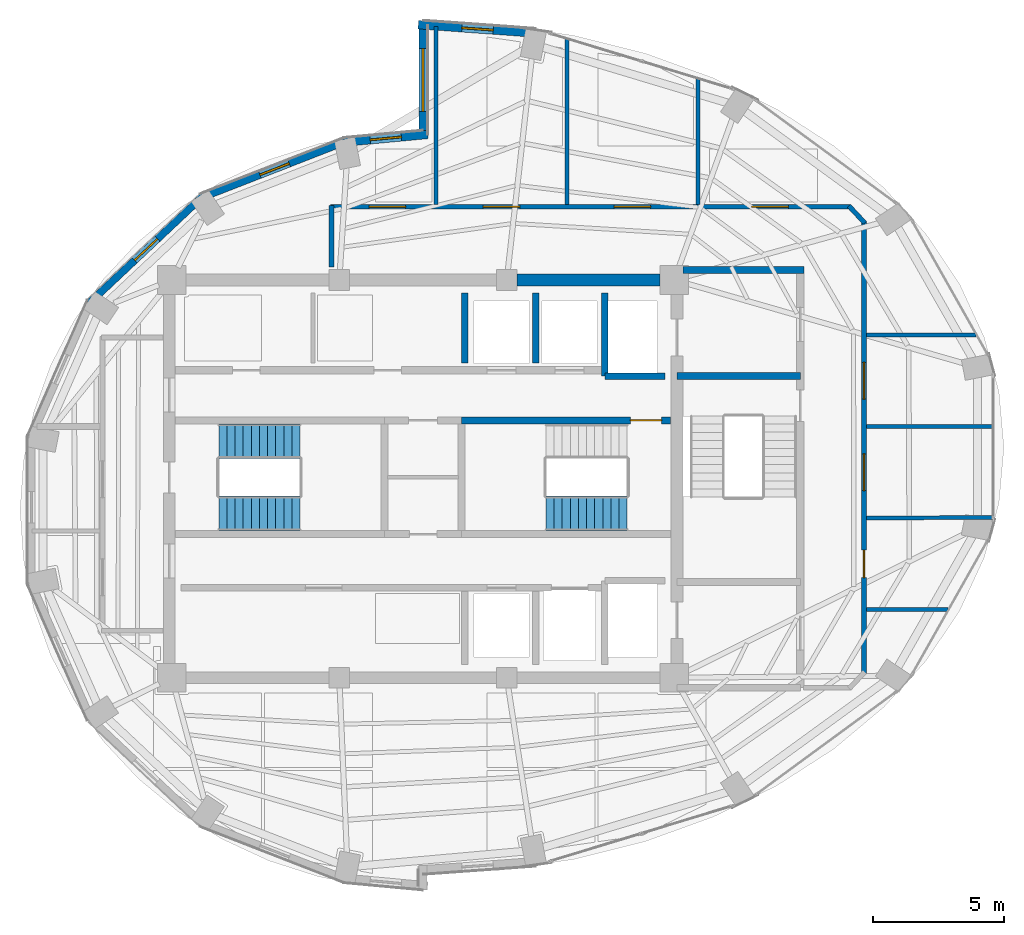
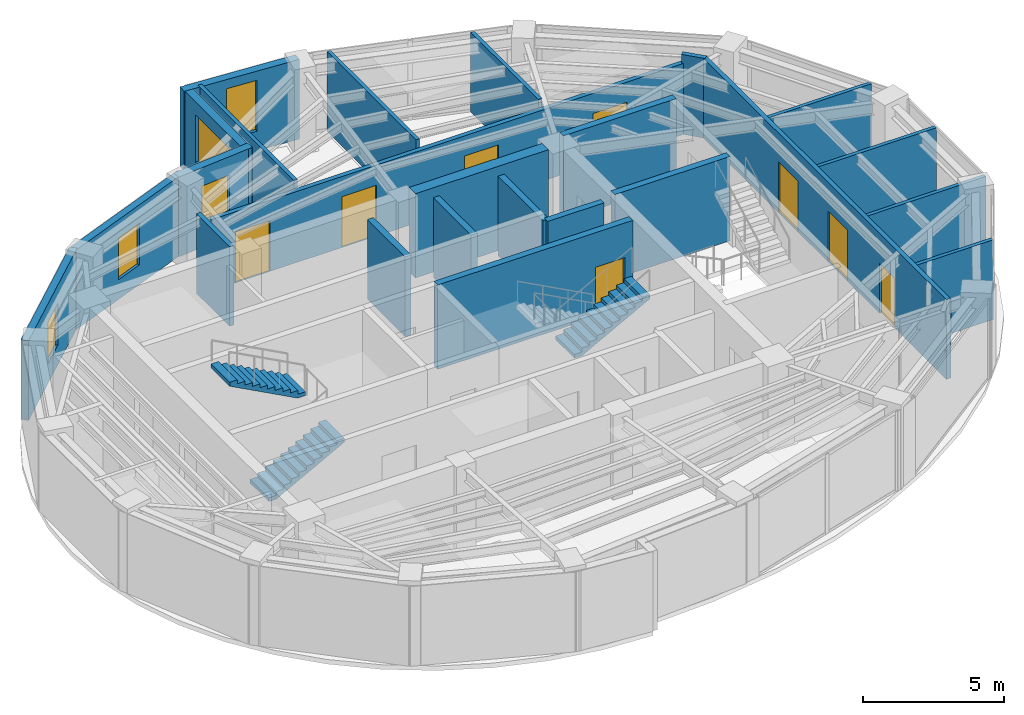
# One storey, part 10 of 13: 24 walls, 8 doors, 5 windows, 3 stair flights, 13 openings, 2 elements without a shape of their own.
"""IFC4 building model written with IfcOpenShell, lengths in metres."""

from ifc_helpers import new_model, si_unit, direction, frame, frame_2d, origin, place, context, subcontext, project, spatial, polyline, rectangle, outline, extrude, material, layer, layer_set, type_object, element, fill, aggregate, save


model = new_model("IFC4")

# Units and contexts
model_context = context("Model", 3, precision=1e-05, world=origin(), true_north=direction((0.0, 1.0)))
body_context = subcontext(model_context, "Body", "Model", "MODEL_VIEW")
ifc_project = project(units=[si_unit("LENGTHUNIT", "METRE"), si_unit("AREAUNIT", "SQUARE_METRE"), si_unit("VOLUMEUNIT", "CUBIC_METRE"), si_unit("PLANEANGLEUNIT", "RADIAN"), si_unit("MASSUNIT", "GRAM", prefix="KILO")], contexts=[model_context])

# Site, building, storey
site_placement = place(None, origin())
site = spatial("IfcSite", under=ifc_project, at=site_placement, CompositionType="ELEMENT")
building_placement = place(site_placement, origin())
building = spatial("IfcBuilding", under=site, at=building_placement, Name="Lazwardi Medical Tower", CompositionType="ELEMENT")
storey_placement = place(building_placement, frame((0.0, 0.0, 276.912109375)))
storey = spatial("IfcBuildingStorey", under=building, at=storey_placement, Name="L72", CompositionType="ELEMENT", Elevation=276.912109375)

# Wall
ifc_material_1 = material(Name="Fire-rated gypsum board on steel stud", Category="steel")
ifc_layer_1 = layer(ifc_material_1, 0.179931640625)
ifc_layer_set_1 = layer_set([ifc_layer_1], Name="Fire-rated gypsum board on steel stud")
wall_type_1 = type_object("IfcWallType", Name="WL-COR-180", PredefinedType="PARTITIONING", material=ifc_layer_set_1)
wall_1_placement = place(storey_placement, frame((32.5, 36.090087890625, 0.0), z_axis=(0.0, 0.0, 1.0), x_axis=(0.0, 1.0, 0.0)))
element("IfcWall", 1, at=wall_1_placement, inside=storey, type_object=wall_type_1, Name="L72 Corridor partition 1", PredefinedType="PARTITIONING", context=body_context, shape_type="SweptSolid", body=[
    extrude(rectangle(XDim=2.349853515625, YDim=0.179931640625, at=frame_2d((1.1748046875, 0.0))), origin(), (0.0, 0.0, 1.0), 3.447998046875),
])

# Wall, openings, doors
wall_2_placement = place(storey_placement, frame((32.4599609375, 38.39990234375, 0.0), z_axis=(0.0, 0.0, 1.0), x_axis=(1.0, 0.0, 0.0)))
wall_2 = element("IfcWall", 2, at=wall_2_placement, inside=storey, type_object=wall_type_1, Name="L72 Corridor partition 2", PredefinedType="PARTITIONING", context=body_context, shape_type="SweptSolid", body=[
    extrude(rectangle(XDim=19.879150390625, YDim=0.179931640625, at=frame_2d((9.939453125, 0.0))), origin(), (0.0, 0.0, 1.0), 3.072998046875),
])
opening_1_placement = place(wall_2_placement, frame((16.1005859375, 0.0, 0.0)))
opening_1 = element("IfcOpeningElement", 3, at=opening_1_placement, cuts=wall_2, Name="Opening D-L72-015", PredefinedType="OPENING", context=body_context, shape_type="SweptSolid", body=[
    extrude(rectangle(XDim=1.39990234375, YDim=2.199951171875, at=frame_2d((0.699951171875, 1.10009765625))), frame((0.0, 0.099853515625, 0.0), z_axis=(0.0, -1.0, 0.0), x_axis=(1.0, 0.0, 0.0)), (0.0, 0.0, 1.0), 0.199951171875),
])
opening_2_placement = place(wall_2_placement, frame((10.840087890625, 0.0, 0.0)))
opening_2 = element("IfcOpeningElement", 4, at=opening_2_placement, cuts=wall_2, Name="Opening D-L72-016", PredefinedType="OPENING", context=body_context, shape_type="SweptSolid", body=[
    extrude(rectangle(XDim=1.39990234375, YDim=2.199951171875, at=frame_2d((0.699951171875, 1.10009765625))), frame((0.0, 0.099853515625, 0.0), z_axis=(0.0, -1.0, 0.0), x_axis=(1.0, 0.0, 0.0)), (0.0, 0.0, 1.0), 0.199951171875),
])
opening_3_placement = place(wall_2_placement, frame((5.840087890625, 0.0, 0.0)))
opening_3 = element("IfcOpeningElement", 5, at=opening_3_placement, cuts=wall_2, Name="Opening D-L72-017", PredefinedType="OPENING", context=body_context, shape_type="SweptSolid", body=[
    extrude(rectangle(XDim=1.39990234375, YDim=2.199951171875, at=frame_2d((0.699951171875, 1.10009765625))), frame((0.0, 0.099853515625, 0.0), z_axis=(0.0, -1.0, 0.0), x_axis=(1.0, 0.0, 0.0)), (0.0, 0.0, 1.0), 0.199951171875),
])
opening_4_placement = place(wall_2_placement, frame((1.47900390625, 0.0, 0.0)))
opening_4 = element("IfcOpeningElement", 6, at=opening_4_placement, cuts=wall_2, Name="Opening D-L72-018", PredefinedType="OPENING", context=body_context, shape_type="SweptSolid", body=[
    extrude(rectangle(XDim=1.39990234375, YDim=2.199951171875, at=frame_2d((0.699951171875, 1.10009765625))), frame((0.0, 0.099853515625, 0.0), z_axis=(0.0, -1.0, 0.0), x_axis=(1.0, 0.0, 0.0)), (0.0, 0.0, 1.0), 0.199951171875),
])
ifc_material_2 = material(Name="Anti-microbial laminate hospital leaf")
door_type_1 = type_object("IfcDoorType", Name="DR-BED-1400", OperationType="NOTDEFINED", PredefinedType="DOOR", material=ifc_material_2)
door_1_placement = place(opening_1_placement, origin())
door_1 = element("IfcDoor", 7, at=door_1_placement, inside=storey, type_object=door_type_1, Name="L72 Patient Bedroom Door 06", OperationType="SINGLE_SWING_LEFT", OverallHeight=2.199951171875, OverallWidth=1.39990234375, PredefinedType="DOOR", context=body_context, shape_type="SweptSolid", body=[
    extrude(rectangle(XDim=1.39990234375, YDim=2.199951171875, at=frame_2d((0.699951171875, 1.10009765625))), frame((0.0, 0.02490234375, 0.0), z_axis=(0.0, -1.0, 0.0), x_axis=(1.0, 0.0, 0.0)), (0.0, 0.0, 1.0), 0.050048828125),
])
fill(opening_1, door_1)
door_2_placement = place(opening_2_placement, origin())
door_2 = element("IfcDoor", 8, at=door_2_placement, inside=storey, type_object=door_type_1, Name="L72 Patient Bedroom Door 07", OperationType="SINGLE_SWING_RIGHT", OverallHeight=2.199951171875, OverallWidth=1.39990234375, PredefinedType="DOOR", context=body_context, shape_type="SweptSolid", body=[
    extrude(rectangle(XDim=1.39990234375, YDim=2.199951171875, at=frame_2d((0.699951171875, 1.10009765625))), frame((0.0, 0.02490234375, 0.0), z_axis=(0.0, -1.0, 0.0), x_axis=(1.0, 0.0, 0.0)), (0.0, 0.0, 1.0), 0.050048828125),
])
fill(opening_2, door_2)
door_3_placement = place(opening_3_placement, origin())
door_3 = element("IfcDoor", 9, at=door_3_placement, inside=storey, type_object=door_type_1, Name="L72 Inpatient Ward Door 08", OperationType="SINGLE_SWING_LEFT", OverallHeight=2.199951171875, OverallWidth=1.39990234375, PredefinedType="DOOR", context=body_context, shape_type="SweptSolid", body=[
    extrude(rectangle(XDim=1.39990234375, YDim=2.199951171875, at=frame_2d((0.699951171875, 1.10009765625))), frame((0.0, 0.02490234375, 0.0), z_axis=(0.0, -1.0, 0.0), x_axis=(1.0, 0.0, 0.0)), (0.0, 0.0, 1.0), 0.050048828125),
])
fill(opening_3, door_3)
door_4_placement = place(opening_4_placement, origin())
door_4 = element("IfcDoor", 10, at=door_4_placement, inside=storey, type_object=door_type_1, Name="L72 Inpatient Ward Door 09", OperationType="SINGLE_SWING_RIGHT", OverallHeight=2.199951171875, OverallWidth=1.39990234375, PredefinedType="DOOR", context=body_context, shape_type="SweptSolid", body=[
    extrude(rectangle(XDim=1.39990234375, YDim=2.199951171875, at=frame_2d((0.699951171875, 1.10009765625))), frame((0.0, 0.02490234375, 0.0), z_axis=(0.0, -1.0, 0.0), x_axis=(1.0, 0.0, 0.0)), (0.0, 0.0, 1.0), 0.050048828125),
])
fill(opening_4, door_4)

# Wall
wall_3_placement = place(storey_placement, frame((52.271728515625, 38.42919921875, 0.0), z_axis=(0.0, 0.0, 1.0), x_axis=(0.682475113459, -0.730908831188, 0.0)))
element("IfcWall", 11, at=wall_3_placement, inside=storey, type_object=wall_type_1, Name="L72 Corridor partition 3", PredefinedType="PARTITIONING", context=body_context, shape_type="SweptSolid", body=[
    extrude(rectangle(XDim=0.88720703125, YDim=0.179931640625, at=frame_2d((0.443603515625, 0.0))), origin(), (0.0, 0.0, 1.0), 3.447998046875),
])

# Wall, openings, doors
wall_4_placement = place(storey_placement, frame((52.85009765625, 37.85009765625, 0.0), z_axis=(0.0, 0.0, 1.0), x_axis=(0.0, -1.0, 0.0)))
wall_4 = element("IfcWall", 12, at=wall_4_placement, inside=storey, type_object=wall_type_1, Name="L72 Corridor partition 4", PredefinedType="PARTITIONING", context=body_context, shape_type="SweptSolid", body=[
    extrude(rectangle(XDim=17.30029296875, YDim=0.179931640625, at=frame_2d((8.650146484375, 0.0))), origin(), (0.0, 0.0, 1.0), 3.447998046875),
])
opening_5_placement = place(wall_4_placement, frame((12.574951171875, 0.0, 0.0)))
opening_5 = element("IfcOpeningElement", 13, at=opening_5_placement, cuts=wall_4, Name="Opening D-L72-012", PredefinedType="OPENING", context=body_context, shape_type="SweptSolid", body=[
    extrude(rectangle(XDim=1.050048828125, YDim=2.14990234375, at=frame_2d((0.52490234375, 1.074951171875))), frame((0.0, 0.099853515625, 0.0), z_axis=(0.0, -1.0, 0.0), x_axis=(1.0, 0.0, 0.0)), (0.0, 0.0, 1.0), 0.199951171875),
])
opening_6_placement = place(wall_4_placement, frame((8.89990234375, 0.0, 0.0)))
opening_6 = element("IfcOpeningElement", 14, at=opening_6_placement, cuts=wall_4, Name="Opening D-L72-013", PredefinedType="OPENING", context=body_context, shape_type="SweptSolid", body=[
    extrude(rectangle(XDim=1.39990234375, YDim=2.199951171875, at=frame_2d((0.699951171875, 1.10009765625))), frame((0.0, 0.099853515625, 0.0), z_axis=(0.0, -1.0, 0.0), x_axis=(1.0, 0.0, 0.0)), (0.0, 0.0, 1.0), 0.199951171875),
])
opening_7_placement = place(wall_4_placement, frame((5.400146484375, 0.0, 0.0)))
opening_7 = element("IfcOpeningElement", 15, at=opening_7_placement, cuts=wall_4, Name="Opening D-L72-014", PredefinedType="OPENING", context=body_context, shape_type="SweptSolid", body=[
    extrude(rectangle(XDim=1.39990234375, YDim=2.199951171875, at=frame_2d((0.699951171875, 1.10009765625))), frame((0.0, 0.099853515625, 0.0), z_axis=(0.0, -1.0, 0.0), x_axis=(1.0, 0.0, 0.0)), (0.0, 0.0, 1.0), 0.199951171875),
])
door_5_placement = place(opening_6_placement, origin())
door_5 = element("IfcDoor", 16, at=door_5_placement, inside=storey, type_object=door_type_1, Name="L72 Department Reception Foyer Door 04", OperationType="SINGLE_SWING_LEFT", OverallHeight=2.199951171875, OverallWidth=1.39990234375, PredefinedType="DOOR", context=body_context, shape_type="SweptSolid", body=[
    extrude(rectangle(XDim=1.39990234375, YDim=2.199951171875, at=frame_2d((0.699951171875, 1.10009765625))), frame((0.0, 0.02490234375, 0.0), z_axis=(0.0, -1.0, 0.0), x_axis=(1.0, 0.0, 0.0)), (0.0, 0.0, 1.0), 0.050048828125),
])
fill(opening_6, door_5)
door_6_placement = place(opening_7_placement, origin())
door_6 = element("IfcDoor", 17, at=door_6_placement, inside=storey, type_object=door_type_1, Name="L72 Outpatient Clinic Door 05", OperationType="SINGLE_SWING_RIGHT", OverallHeight=2.199951171875, OverallWidth=1.39990234375, PredefinedType="DOOR", context=body_context, shape_type="SweptSolid", body=[
    extrude(rectangle(XDim=1.39990234375, YDim=2.199951171875, at=frame_2d((0.699951171875, 1.10009765625))), frame((0.0, 0.02490234375, 0.0), z_axis=(0.0, -1.0, 0.0), x_axis=(1.0, 0.0, 0.0)), (0.0, 0.0, 1.0), 0.050048828125),
])
fill(opening_7, door_6)
door_type_2 = type_object("IfcDoorType", Name="DR-CLN-1050", OperationType="NOTDEFINED", PredefinedType="DOOR", material=ifc_material_2)
door_7_placement = place(opening_5_placement, origin())
door_7 = element("IfcDoor", 18, at=door_7_placement, inside=storey, type_object=door_type_2, Name="L72 Outpatient Clinic Door 03", OperationType="SINGLE_SWING_RIGHT", OverallHeight=2.14990234375, OverallWidth=1.050048828125, PredefinedType="DOOR", context=body_context, shape_type="SweptSolid", body=[
    extrude(rectangle(XDim=1.050048828125, YDim=2.14990234375, at=frame_2d((0.52490234375, 1.074951171875))), frame((0.0, 0.02490234375, 0.0), z_axis=(0.0, -1.0, 0.0), x_axis=(1.0, 0.0, 0.0)), (0.0, 0.0, 1.0), 0.050048828125),
])
fill(opening_5, door_7)

# Wall
ifc_material_3 = material(Name="Concrete C60/75", Category="concrete")
ifc_layer_2 = layer(ifc_material_3, 0.449951171875)
ifc_layer_set_2 = layer_set([ifc_layer_2], Name="Concrete C60/75")
wall_type_2 = type_object("IfcWallType", Name="WL-CORE-450", PredefinedType="SHEAR", material=ifc_layer_set_2)
wall_5_placement = place(storey_placement, frame((39.60009765625, 35.60009765625, 0.0), z_axis=(0.0, 0.0, 1.0), x_axis=(1.0, 0.0, 0.0)))
element("IfcWall", 19, at=wall_5_placement, inside=storey, type_object=wall_type_2, Name="Core wall CW-S4 N3 L72", PredefinedType="SHEAR", context=body_context, shape_type="SweptSolid", body=[
    extrude(rectangle(XDim=5.449951171875, YDim=0.449951171875, at=frame_2d((2.72509765625, 0.0))), origin(), (0.0, 0.0, 1.0), 3.64794921875),
])

# Wall, opening, window
ifc_material_4 = material(Name="Precast concrete C45/55", Category="concrete")
ifc_layer_3 = layer(ifc_material_4, 0.280029296875)
ifc_layer_set_3 = layer_set([ifc_layer_3], Name="Precast concrete C45/55")
wall_type_3 = type_object("IfcWallType", Name="WL-DRUM-280", PredefinedType="SOLIDWALL", material=ifc_layer_set_3)
wall_6_placement = place(storey_placement, frame((33.227783203125, 40.964111328125, 0.0), z_axis=(0.0, 0.0, 1.0), x_axis=(-0.931716550814, -0.36318627306, 0.0)))
wall_6 = element("IfcWall", 20, at=wall_6_placement, inside=storey, type_object=wall_type_3, Name="L72 West Drum Precast Wall 1", PredefinedType="SOLIDWALL", context=body_context, shape_type="SweptSolid", body=[
    extrude(rectangle(XDim=6.22412109375, YDim=0.280029296875, at=frame_2d((3.112060546875, 0.0))), origin(), (0.0, 0.0, 1.0), 3.447998046875),
])
opening_8_placement = place(wall_6_placement, frame((2.511962890625, 0.0, 0.85009765625)))
opening_8 = element("IfcOpeningElement", 21, at=opening_8_placement, cuts=wall_6, Name="Opening WN-04", PredefinedType="OPENING", context=body_context, shape_type="SweptSolid", body=[
    extrude(rectangle(XDim=1.199951171875, YDim=1.800048828125, at=frame_2d((0.60009765625, 0.89990234375))), frame((0.0, 0.14990234375, 0.0), z_axis=(0.0, -1.0, 0.0), x_axis=(1.0, 0.0, 0.0)), (0.0, 0.0, 1.0), 0.300048828125),
])
ifc_material_5 = material(Name="Low-e bronze solar control double glazing", Category="glass")
window_type_1 = type_object("IfcWindowType", Name="WIN-DRUM-1200", PartitioningType="SINGLE_PANEL", PredefinedType="WINDOW", material=ifc_material_5)
window_1_placement = place(opening_8_placement, origin())
window_1 = element("IfcWindow", 22, at=window_1_placement, inside=storey, type_object=window_type_1, Name="L72 West Drum Window 1", OverallHeight=1.800048828125, OverallWidth=1.199951171875, PartitioningType="SINGLE_PANEL", PredefinedType="WINDOW", context=body_context, shape_type="SweptSolid", body=[
    extrude(rectangle(XDim=1.199951171875, YDim=1.800048828125, at=frame_2d((0.60009765625, 0.89990234375))), frame((0.0, 0.030029296875, 0.0), z_axis=(0.0, -1.0, 0.0), x_axis=(1.0, 0.0, 0.0)), (0.0, 0.0, 1.0), 0.06005859375),
])
fill(opening_8, window_1)

wall_7_placement = place(storey_placement, frame((27.5947265625, 38.808349609375, 0.0), z_axis=(0.0, 0.0, 1.0), x_axis=(-0.728251519923, -0.685309947199, 0.0)))
wall_7 = element("IfcWall", 23, at=wall_7_placement, inside=storey, type_object=wall_type_3, Name="L72 West Drum Precast Wall 2", PredefinedType="SOLIDWALL", context=body_context, shape_type="SweptSolid", body=[
    extrude(rectangle(XDim=5.98095703125, YDim=0.280029296875, at=frame_2d((2.990478515625, 0.0))), origin(), (0.0, 0.0, 1.0), 3.447998046875),
])
opening_9_placement = place(wall_7_placement, frame((2.390625, 0.0, 0.85009765625)))
opening_9 = element("IfcOpeningElement", 24, at=opening_9_placement, cuts=wall_7, Name="Opening WN-04", PredefinedType="OPENING", context=body_context, shape_type="SweptSolid", body=[
    extrude(rectangle(XDim=1.199951171875, YDim=1.800048828125, at=frame_2d((0.60009765625, 0.89990234375))), frame((0.0, 0.14990234375, 0.0), z_axis=(0.0, -1.0, 0.0), x_axis=(1.0, 0.0, 0.0)), (0.0, 0.0, 1.0), 0.300048828125),
])
window_2_placement = place(opening_9_placement, origin())
window_2 = element("IfcWindow", 25, at=window_2_placement, inside=storey, type_object=window_type_1, Name="L72 West Drum Window 2", OverallHeight=1.800048828125, OverallWidth=1.199951171875, PartitioningType="SINGLE_PANEL", PredefinedType="WINDOW", context=body_context, shape_type="SweptSolid", body=[
    extrude(rectangle(XDim=1.199951171875, YDim=1.800048828125, at=frame_2d((0.60009765625, 0.89990234375))), frame((0.0, 0.030029296875, 0.0), z_axis=(0.0, -1.0, 0.0), x_axis=(1.0, 0.0, 0.0)), (0.0, 0.0, 1.0), 0.06005859375),
])
fill(opening_9, window_2)

ifc_layer_4 = layer(ifc_material_4, 0.320068359375)
ifc_layer_set_4 = layer_set([ifc_layer_4], Name="Precast concrete C45/55")
wall_type_4 = type_object("IfcWallType", Name="WL-IWAN-320", PredefinedType="SOLIDWALL", material=ifc_layer_set_4)
wall_8_placement = place(storey_placement, frame((40.349609375, 45.0263671875, 0.0), z_axis=(0.0, 0.0, 1.0), x_axis=(-0.997412917451, 0.071885131294, 0.0)))
wall_8 = element("IfcWall", 26, at=wall_8_placement, inside=storey, type_object=wall_type_4, Name="L72 Iwan Portal Return Wall NE_ret", PredefinedType="SOLIDWALL", context=body_context, shape_type="SweptSolid", body=[
    extrude(rectangle(XDim=4.540771484375, YDim=0.320068359375, at=frame_2d((2.2705078125, 0.0))), origin(), (0.0, 0.0, 1.0), 3.447998046875),
])
opening_10_placement = place(wall_8_placement, frame((1.67041015625, 0.0, 0.85009765625)))
opening_10 = element("IfcOpeningElement", 27, at=opening_10_placement, cuts=wall_8, Name="Opening WN-01", PredefinedType="OPENING", context=body_context, shape_type="SweptSolid", body=[
    extrude(rectangle(XDim=1.199951171875, YDim=2.199951171875, at=frame_2d((0.60009765625, 1.10009765625))), frame((0.0, 0.169921875, 0.0), z_axis=(0.0, -1.0, 0.0), x_axis=(1.0, 0.0, 0.0)), (0.0, 0.0, 1.0), 0.340087890625),
])
window_type_2 = type_object("IfcWindowType", Name="WIN-IW-1200", PartitioningType="SINGLE_PANEL", PredefinedType="WINDOW", material=ifc_material_5)
window_3_placement = place(opening_10_placement, origin())
window_3 = element("IfcWindow", 28, at=window_3_placement, inside=storey, type_object=window_type_2, Name="L72 Iwan Slot Window NE_ret", OverallHeight=2.199951171875, OverallWidth=1.199951171875, PartitioningType="SINGLE_PANEL", PredefinedType="WINDOW", context=body_context, shape_type="SweptSolid", body=[
    extrude(rectangle(XDim=1.199951171875, YDim=2.199951171875, at=frame_2d((0.60009765625, 1.10009765625))), frame((0.0, 0.030029296875, 0.0), z_axis=(0.0, -1.0, 0.0), x_axis=(1.0, 0.0, 0.0)), (0.0, 0.0, 1.0), 0.06005859375),
])
fill(opening_10, window_3)

wall_9_placement = place(storey_placement, frame((36.178955078125, 41.156494140625, 0.0), z_axis=(0.0, 0.0, 1.0), x_axis=(-0.995736155144, -0.092247001792, 0.0)))
wall_9 = element("IfcWall", 29, at=wall_9_placement, inside=storey, type_object=wall_type_4, Name="L72 Iwan Portal Return Wall NW_ret", PredefinedType="SOLIDWALL", context=body_context, shape_type="SweptSolid", body=[
    extrude(rectangle(XDim=3.215576171875, YDim=0.320068359375, at=frame_2d((1.60791015625, 0.0))), origin(), (0.0, 0.0, 1.0), 3.447998046875),
])
opening_11_placement = place(wall_9_placement, frame((1.0078125, 0.0, 0.85009765625)))
opening_11 = element("IfcOpeningElement", 30, at=opening_11_placement, cuts=wall_9, Name="Opening WN-04", PredefinedType="OPENING", context=body_context, shape_type="SweptSolid", body=[
    extrude(rectangle(XDim=1.199951171875, YDim=1.800048828125, at=frame_2d((0.60009765625, 0.89990234375))), frame((0.0, 0.169921875, 0.0), z_axis=(0.0, -1.0, 0.0), x_axis=(1.0, 0.0, 0.0)), (0.0, 0.0, 1.0), 0.340087890625),
])
window_4_placement = place(opening_11_placement, origin())
window_4 = element("IfcWindow", 31, at=window_4_placement, inside=storey, type_object=window_type_1, Name="L72 Iwan Slot Window NW_ret", OverallHeight=1.800048828125, OverallWidth=1.199951171875, PartitioningType="SINGLE_PANEL", PredefinedType="WINDOW", context=body_context, shape_type="SweptSolid", body=[
    extrude(rectangle(XDim=1.199951171875, YDim=1.800048828125, at=frame_2d((0.60009765625, 0.89990234375))), frame((0.0, 0.030029296875, 0.0), z_axis=(0.0, -1.0, 0.0), x_axis=(1.0, 0.0, 0.0)), (0.0, 0.0, 1.0), 0.06005859375),
])
fill(opening_11, window_4)

wall_10_placement = place(storey_placement, frame((36.0, 45.5, 0.0), z_axis=(0.0, 0.0, 1.0), x_axis=(0.0, -1.0, 0.0)))
wall_10 = element("IfcWall", 32, at=wall_10_placement, inside=storey, type_object=wall_type_4, Name="L72 Turquoise Tilework Iwan Seam Wall N_seam", PredefinedType="SOLIDWALL", context=body_context, shape_type="SweptSolid", body=[
    extrude(rectangle(XDim=4.52001953125, YDim=0.320068359375, at=frame_2d((2.260009765625, 0.0))), origin(), (0.0, 0.0, 1.0), 3.447998046875),
])
opening_12_placement = place(wall_10_placement, frame((1.06005859375, 0.0, 0.840087890625)))
opening_12 = element("IfcOpeningElement", 33, at=opening_12_placement, cuts=wall_10, Name="Opening WN-02", PredefinedType="OPENING", context=body_context, shape_type="SweptSolid", body=[
    extrude(rectangle(XDim=2.39990234375, YDim=2.0400390625, at=frame_2d((1.199951171875, 1.02001953125))), frame((0.0, 0.169921875, 0.0), z_axis=(0.0, -1.0, 0.0), x_axis=(1.0, 0.0, 0.0)), (0.0, 0.0, 1.0), 0.340087890625),
])
window_type_3 = type_object("IfcWindowType", Name="WIN-IW-2400", PartitioningType="SINGLE_PANEL", PredefinedType="WINDOW", material=ifc_material_5)
window_5_placement = place(opening_12_placement, origin())
window_5 = element("IfcWindow", 34, at=window_5_placement, inside=storey, type_object=window_type_3, Name="L72 Iwan Seam Window N_seam", OverallHeight=2.0400390625, OverallWidth=2.39990234375, PartitioningType="SINGLE_PANEL", PredefinedType="WINDOW", context=body_context, shape_type="SweptSolid", body=[
    extrude(rectangle(XDim=2.39990234375, YDim=2.0400390625, at=frame_2d((1.199951171875, 1.02001953125))), frame((0.0, 0.030029296875, 0.0), z_axis=(0.0, -1.0, 0.0), x_axis=(1.0, 0.0, 0.0)), (0.0, 0.0, 1.0), 0.06005859375),
])
fill(opening_12, window_5)

# Walls
ifc_material_6 = material(Name="Autoclaved aerated concrete blockwork", Category="masonry")
ifc_layer_5 = layer(ifc_material_6, 0.25)
ifc_layer_set_5 = layer_set([ifc_layer_5], Name="Autoclaved aerated concrete blockwork")
wall_type_5 = type_object("IfcWallType", Name="WL-SHAFT-250", PredefinedType="SOLIDWALL", material=ifc_layer_set_5)
wall_11_placement = place(storey_placement, frame((42.949951171875, 31.919921875, 0.0), z_axis=(0.0, 0.0, 1.0), x_axis=(0.0, 1.0, 0.0)))
element("IfcWall", 35, at=wall_11_placement, inside=storey, type_object=wall_type_5, Name="L72 FL-01 West shaft wall", PredefinedType="SOLIDWALL", context=body_context, shape_type="SweptSolid", body=[
    extrude(rectangle(XDim=3.18017578125, YDim=0.25, at=frame_2d((1.590087890625, 0.0))), origin(), (0.0, 0.0, 1.0), 3.447998046875),
])
wall_12_placement = place(storey_placement, frame((42.949951171875, 31.919921875, 0.0), z_axis=(0.0, 0.0, 1.0), x_axis=(1.0, 0.0, 0.0)))
element("IfcWall", 36, at=wall_12_placement, inside=storey, type_object=wall_type_5, Name="L72 FL-01 South shaft wall", PredefinedType="SOLIDWALL", context=body_context, shape_type="SweptSolid", body=[
    extrude(rectangle(XDim=2.300048828125, YDim=0.25, at=frame_2d((1.14990234375, 0.0))), origin(), (0.0, 0.0, 1.0), 3.447998046875),
])
for number, where, z_axis, x_axis, name in (
    (37, (37.60009765625, 32.419921875, 0.0), (0.0, 0.0, 1.0), (0.0, 1.0, 0.0), "L72 North hoistway divider"),
    (38, (40.300048828125, 32.419921875, 0.0), (0.0, 0.0, 1.0), (0.0, 1.0, 0.0), "L72 North hoistway divider"),
):
    element("IfcWall", number, at=place(storey_placement, frame(where, z_axis=z_axis, x_axis=x_axis)), inside=storey, type_object=wall_type_5, Name=name, PredefinedType="SOLIDWALL", context=body_context, shape_type="SweptSolid", body=[
        extrude(rectangle(XDim=2.68017578125, YDim=0.25, at=frame_2d((1.340087890625, 0.0))), origin(), (0.0, 0.0, 1.0), 3.447998046875),
    ])

# Wall, opening, door
ifc_material_7 = material(Name="Concrete C50/60", Category="concrete")
ifc_layer_6 = layer(ifc_material_7, 0.27001953125)
ifc_layer_set_6 = layer_set([ifc_layer_6], Name="Concrete C50/60")
wall_type_6 = type_object("IfcWallType", Name="WL-STR-250", PredefinedType="SHEAR", material=ifc_layer_set_6)
wall_13_placement = place(storey_placement, frame((37.465087890625, 30.235107421875, 0.0), z_axis=(0.0, 0.0, 1.0), x_axis=(1.0, 0.0, 0.0)))
wall_13 = element("IfcWall", 39, at=wall_13_placement, inside=storey, type_object=wall_type_6, Name="L72 ST2 North shear shaft wall SW-S1", PredefinedType="SHEAR", context=body_context, shape_type="SweptSolid", body=[
    extrude(rectangle(XDim=7.98486328125, YDim=0.27001953125, at=frame_2d((3.992431640625, 0.0))), origin(), (0.0, 0.0, 1.0), 3.64794921875),
])
opening_13_placement = place(wall_13_placement, frame((6.455078125, 0.0, 0.0)))
opening_13 = element("IfcOpeningElement", 40, at=opening_13_placement, cuts=wall_13, Name="Opening D-L72-020", PredefinedType="OPENING", context=body_context, shape_type="SweptSolid", body=[
    extrude(rectangle(XDim=1.199951171875, YDim=2.14990234375, at=frame_2d((0.60009765625, 1.074951171875))), frame((0.0, 0.14501953125, 0.0), z_axis=(0.0, -1.0, 0.0), x_axis=(1.0, 0.0, 0.0)), (0.0, 0.0, 1.0), 0.2900390625),
])
ifc_material_8 = material(Name="Fire-rated steel leaf and frame", Category="steel")
door_type_3 = type_object("IfcDoorType", Name="DR-STR-1200", OperationType="NOTDEFINED", PredefinedType="DOOR", material=ifc_material_8)
door_8_placement = place(opening_13_placement, origin())
door_8 = element("IfcDoor", 41, at=door_8_placement, inside=storey, type_object=door_type_3, Name="L72 Exit Stair ST2 Door", OperationType="SINGLE_SWING_LEFT", OverallHeight=2.14990234375, OverallWidth=1.199951171875, PredefinedType="DOOR", context=body_context, shape_type="SweptSolid", body=[
    extrude(rectangle(XDim=1.199951171875, YDim=2.14990234375, at=frame_2d((0.60009765625, 1.074951171875))), frame((0.0, 0.02490234375, 0.0), z_axis=(0.0, -1.0, 0.0), x_axis=(1.0, 0.0, 0.0)), (0.0, 0.0, 1.0), 0.050048828125),
])
fill(opening_13, door_8)

# Walls
wall_14_placement = place(storey_placement, frame((45.925048828125, 35.97998046875, 0.0), z_axis=(0.0, 0.0, 1.0), x_axis=(1.0, 0.0, 0.0)))
element("IfcWall", 42, at=wall_14_placement, inside=storey, type_object=wall_type_6, Name="L72 FFL-N North shear wall SW-S1", PredefinedType="SHEAR", context=body_context, shape_type="SweptSolid", body=[
    extrude(rectangle(XDim=4.625, YDim=0.27001953125, at=frame_2d((2.3125, 0.0))), origin(), (0.0, 0.0, 1.0), 3.64794921875),
])
wall_15_placement = place(storey_placement, frame((45.699951171875, 31.93505859375, 0.0), z_axis=(0.0, 0.0, 1.0), x_axis=(1.0, 0.0, 0.0)))
element("IfcWall", 43, at=wall_15_placement, inside=storey, type_object=wall_type_6, Name="L72 ST3 North shear shaft wall SW-S1", PredefinedType="SHEAR", context=body_context, shape_type="SweptSolid", body=[
    extrude(rectangle(XDim=4.715087890625, YDim=0.27001953125, at=frame_2d((2.357421875, 0.0))), origin(), (0.0, 0.0, 1.0), 3.64794921875),
])
ifc_material_9 = material(Name="Acoustic gypsum board partition")
ifc_layer_7 = layer(ifc_material_9, 0.14990234375)
ifc_layer_set_7 = layer_set([ifc_layer_7], Name="Acoustic gypsum board partition")
wall_type_7 = type_object("IfcWallType", Name="WL-WRD-150", PredefinedType="PARTITIONING", material=ifc_layer_set_7)
wall_16_placement = place(storey_placement, frame((52.93994140625, 23.0, 0.0), z_axis=(0.0, 0.0, 1.0), x_axis=(1.0, 0.0, 0.0)))
element("IfcWall", 44, at=wall_16_placement, inside=storey, type_object=wall_type_7, Name="L72 Room partition 3", PredefinedType="PARTITIONING", context=body_context, shape_type="SweptSolid", body=[
    extrude(rectangle(XDim=3.125732421875, YDim=0.14990234375, at=frame_2d((1.56298828125, 0.0))), origin(), (0.0, 0.0, 1.0), 3.447998046875),
])
wall_17_placement = place(storey_placement, frame((52.93994140625, 26.50048828125, 0.0), z_axis=(0.0, 0.0, 1.0), x_axis=(0.999987566883, 0.004986589892, 0.0)))
element("IfcWall", 45, at=wall_17_placement, inside=storey, type_object=wall_type_7, Name="L72 Room partition 4", PredefinedType="PARTITIONING", context=body_context, shape_type="SweptSolid", body=[
    extrude(rectangle(XDim=4.846923828125, YDim=0.14990234375, at=frame_2d((2.42333984375, 0.0))), origin(), (0.0, 0.0, 1.0), 3.447998046875),
])
wall_18_placement = place(storey_placement, frame((52.93994140625, 30.0, 0.0), z_axis=(0.0, 0.0, 1.0), x_axis=(1.0, 0.0, 0.0)))
element("IfcWall", 46, at=wall_18_placement, inside=storey, type_object=wall_type_7, Name="L72 Room partition 5", PredefinedType="PARTITIONING", context=body_context, shape_type="SweptSolid", body=[
    extrude(rectangle(XDim=4.831787109375, YDim=0.14990234375, at=frame_2d((2.416015625, 0.0))), origin(), (0.0, 0.0, 1.0), 3.447998046875),
])
wall_19_placement = place(storey_placement, frame((52.93994140625, 33.5, 0.0), z_axis=(0.0, 0.0, 1.0), x_axis=(1.0, 0.0, 0.0)))
element("IfcWall", 47, at=wall_19_placement, inside=storey, type_object=wall_type_7, Name="L72 Room partition 6", PredefinedType="PARTITIONING", context=body_context, shape_type="SweptSolid", body=[
    extrude(rectangle(XDim=4.19921875, YDim=0.14990234375, at=frame_2d((2.099609375, 0.0))), origin(), (0.0, 0.0, 1.0), 3.447998046875),
])
wall_20_placement = place(storey_placement, frame((36.5, 38.489990234375, 0.0), z_axis=(0.0, 0.0, 1.0), x_axis=(0.0, 1.0, 0.0)))
element("IfcWall", 48, at=wall_20_placement, inside=storey, type_object=wall_type_7, Name="L72 Room partition 7", PredefinedType="PARTITIONING", context=body_context, shape_type="SweptSolid", body=[
    extrude(rectangle(XDim=6.78466796875, YDim=0.14990234375, at=frame_2d((3.392333984375, 0.0))), origin(), (0.0, 0.0, 1.0), 3.447998046875),
])
wall_21_placement = place(storey_placement, frame((41.5, 38.489990234375, 0.0), z_axis=(0.0, 0.0, 1.0), x_axis=(0.0, 1.0, 0.0)))
element("IfcWall", 49, at=wall_21_placement, inside=storey, type_object=wall_type_7, Name="L72 Room partition 8", PredefinedType="PARTITIONING", context=body_context, shape_type="SweptSolid", body=[
    extrude(rectangle(XDim=6.309814453125, YDim=0.14990234375, at=frame_2d((3.15478515625, 0.0))), origin(), (0.0, 0.0, 1.0), 3.447998046875),
])
wall_22_placement = place(storey_placement, frame((46.5, 38.489990234375, 0.0), z_axis=(0.0, 0.0, 1.0), x_axis=(0.0, 1.0, 0.0)))
element("IfcWall", 50, at=wall_22_placement, inside=storey, type_object=wall_type_7, Name="L72 Room partition 9", PredefinedType="PARTITIONING", context=body_context, shape_type="SweptSolid", body=[
    extrude(rectangle(XDim=4.791259765625, YDim=0.14990234375, at=frame_2d((2.3955078125, 0.0))), origin(), (0.0, 0.0, 1.0), 3.447998046875),
])

# Stair, stair flights
ifc_material_10 = material(Name="Concrete C45/55", Category="concrete")
stair_type = type_object("IfcStairType", Name="STR-WRD", PredefinedType="HALF_TURN_STAIR", material=ifc_material_10)
stair_1_placement = place(storey_placement, origin())
stair_1 = element("IfcStair", 51, at=stair_1_placement, inside=storey, type_object=stair_type, Name="L72 Protected Exit Stair ST1", PredefinedType="HALF_TURN_STAIR")
stair_flight_type = type_object("IfcStairFlightType", Name="FLT-WRD", PredefinedType="STRAIGHT", material=ifc_material_10)
stair_flight_1_placement = place(storey_placement, frame((28.199951171875, 26.679931640625, 0.0), z_axis=(0.0, 0.0, 1.0), x_axis=(1.0, 0.0, 0.0)))
stair_flight_1 = element("IfcStairFlight", 52, at=stair_flight_1_placement, type_object=stair_flight_type, Name="ST1 flight 1", NumberOfRisers=11, NumberOfTreads=10, PredefinedType="STRAIGHT", RiserHeight=0.165818182, TreadLength=0.31, context=body_context, shape_type="SweptSolid", body=[
    extrude(outline(polyline([(0.0, 0.0), (0.0, 0.165771484375), (0.31005859375, 0.165771484375), (0.31005859375, 0.33154296875), (0.6201171875, 0.33154296875), (0.6201171875, 0.49755859375), (0.929931640625, 0.49755859375), (0.929931640625, 0.663330078125), (1.239990234375, 0.663330078125), (1.239990234375, 0.8291015625), (1.550048828125, 0.8291015625), (1.550048828125, 0.994873046875), (1.860107421875, 0.994873046875), (1.860107421875, 1.16064453125), (2.169921875, 1.16064453125), (2.169921875, 1.32666015625), (2.47998046875, 1.32666015625), (2.47998046875, 1.492431640625), (2.7900390625, 1.492431640625), (2.7900390625, 1.658203125), (3.10009765625, 1.658203125), (3.10009765625, 1.823974609375), (3.10009765625, 1.48828125), (0.31787109375, 0.0), (0.0, 0.0)])), frame((0.0, 0.66015625, 0.0), z_axis=(0.0, -1.0, 0.0), x_axis=(1.0, 0.0, 0.0)), (0.0, 0.0, 1.0), 1.320068359375),
])
stair_flight_2_placement = place(storey_placement, frame((31.300048828125, 29.43994140625, 1.823974609375), z_axis=(0.0, 0.0, 1.0), x_axis=(-1.0, 0.0, 0.0)))
stair_flight_2 = element("IfcStairFlight", 53, at=stair_flight_2_placement, type_object=stair_flight_type, Name="ST1 flight 2", NumberOfRisers=11, NumberOfTreads=10, PredefinedType="STRAIGHT", RiserHeight=0.165818182, TreadLength=0.31, context=body_context, shape_type="SweptSolid", body=[
    extrude(outline(polyline([(0.0, 0.0), (0.0, 0.165771484375), (0.31005859375, 0.165771484375), (0.31005859375, 0.33154296875), (0.6201171875, 0.33154296875), (0.6201171875, 0.49755859375), (0.929931640625, 0.49755859375), (0.929931640625, 0.663330078125), (1.239990234375, 0.663330078125), (1.239990234375, 0.8291015625), (1.550048828125, 0.8291015625), (1.550048828125, 0.994873046875), (1.860107421875, 0.994873046875), (1.860107421875, 1.16064453125), (2.169921875, 1.16064453125), (2.169921875, 1.32666015625), (2.47998046875, 1.32666015625), (2.47998046875, 1.492431640625), (2.7900390625, 1.492431640625), (2.7900390625, 1.658203125), (3.10009765625, 1.658203125), (3.10009765625, 1.823974609375), (3.10009765625, 1.48828125), (0.31787109375, 0.0), (0.0, 0.0)])), frame((0.0, 0.66015625, 0.0), z_axis=(0.0, -1.0, 0.0), x_axis=(1.0, 0.0, 0.0)), (0.0, 0.0, 1.0), 1.320068359375),
])
aggregate(stair_1, [stair_flight_1, stair_flight_2])

# Stair, stair flight
stair_2_placement = place(storey_placement, origin())
stair_2 = element("IfcStair", 54, at=stair_2_placement, inside=storey, type_object=stair_type, Name="L72 Protected Exit Stair ST2", PredefinedType="HALF_TURN_STAIR")
stair_flight_3_placement = place(storey_placement, frame((40.699951171875, 26.679931640625, 1.823974609375), z_axis=(0.0, 0.0, 1.0), x_axis=(1.0, 0.0, 0.0)))
stair_flight_3 = element("IfcStairFlight", 55, at=stair_flight_3_placement, type_object=stair_flight_type, Name="ST2 flight 2", NumberOfRisers=11, NumberOfTreads=10, PredefinedType="STRAIGHT", RiserHeight=0.165818182, TreadLength=0.31, context=body_context, shape_type="SweptSolid", body=[
    extrude(outline(polyline([(0.0, 0.0), (0.0, 0.165771484375), (0.31005859375, 0.165771484375), (0.31005859375, 0.33154296875), (0.6201171875, 0.33154296875), (0.6201171875, 0.49755859375), (0.929931640625, 0.49755859375), (0.929931640625, 0.663330078125), (1.239990234375, 0.663330078125), (1.239990234375, 0.8291015625), (1.550048828125, 0.8291015625), (1.550048828125, 0.994873046875), (1.860107421875, 0.994873046875), (1.860107421875, 1.16064453125), (2.169921875, 1.16064453125), (2.169921875, 1.32666015625), (2.47998046875, 1.32666015625), (2.47998046875, 1.492431640625), (2.7900390625, 1.492431640625), (2.7900390625, 1.658203125), (3.10009765625, 1.658203125), (3.10009765625, 1.823974609375), (3.10009765625, 1.48828125), (0.31787109375, 0.0), (0.0, 0.0)])), frame((0.0, 0.66015625, 0.0), z_axis=(0.0, -1.0, 0.0), x_axis=(1.0, 0.0, 0.0)), (0.0, 0.0, 1.0), 1.320068359375),
])
aggregate(stair_2, [stair_flight_3])

save(model, "model.ifc")
